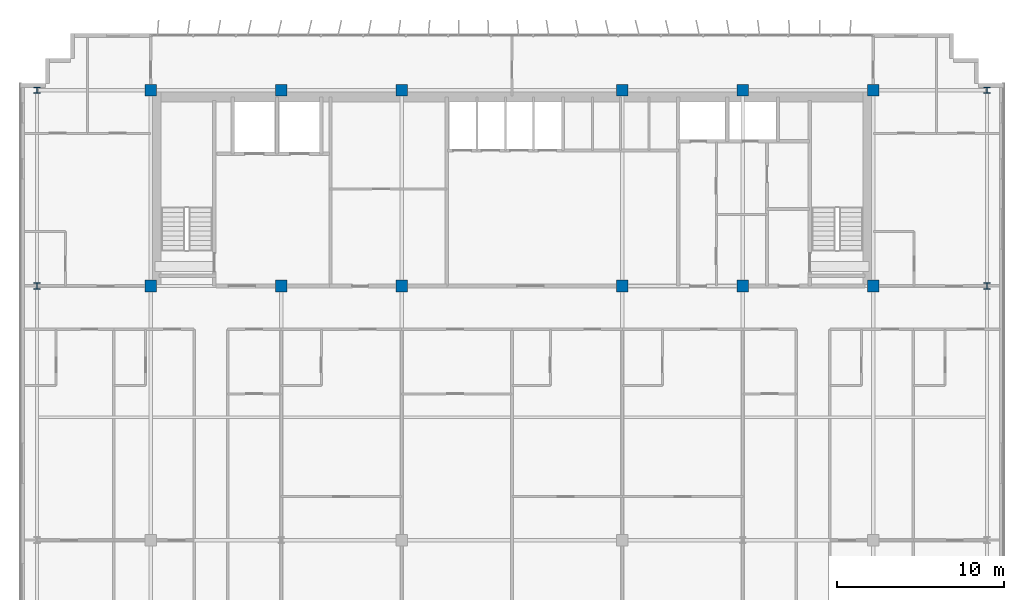
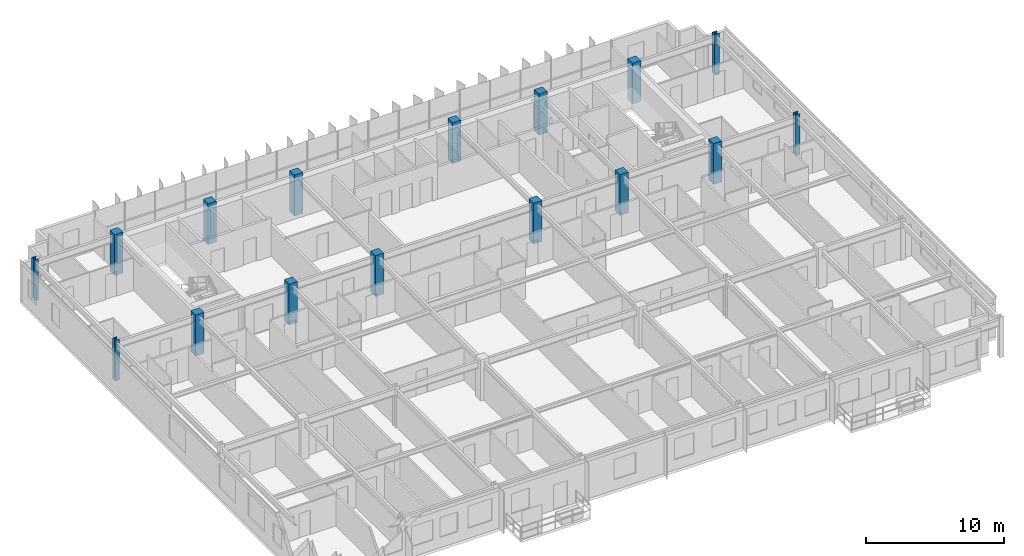
# One storey, part 2 of 21: 16 columns.
"""IFC4 building model written with IfcOpenShell, lengths in metres."""

from ifc_helpers import new_model, si_unit, direction, frame, origin, origin_2d, place, context, subcontext, project, spatial, rectangle, i_section, extrude, source, transform, mapped, material, material_profile, profile_set, type_object, element, save


model = new_model("IFC4")

# Units and contexts
model_context = context("Model", 3, precision=1e-05, world=origin(), true_north=direction((0.0, 1.0)))
body_context = subcontext(model_context, "Body", "Model", "MODEL_VIEW")
ifc_project = project(units=[si_unit("LENGTHUNIT", "METRE"), si_unit("AREAUNIT", "SQUARE_METRE"), si_unit("VOLUMEUNIT", "CUBIC_METRE"), si_unit("PLANEANGLEUNIT", "RADIAN"), si_unit("MASSUNIT", "GRAM", prefix="KILO")], contexts=[model_context])

# Site, building, storey
site_placement = place(None, origin())
site = spatial("IfcSite", under=ifc_project, at=site_placement, CompositionType="ELEMENT")
building_placement = place(site_placement, origin())
building = spatial("IfcBuilding", under=site, at=building_placement, Name="Trelvane Seafront Commons", CompositionType="ELEMENT")
storey_placement = place(building_placement, frame((0.0, 0.0, 135.699951171875)))
storey = spatial("IfcBuildingStorey", under=building, at=storey_placement, Name="L35", CompositionType="ELEMENT", Elevation=135.699951171875)

# Columns
ifc_material_1 = material(Name="Steel SM355 (S355)", Category="steel")
ifc_material_profile_1 = material_profile(ifc_material_1, i_section(OverallWidth=0.3798828125, OverallDepth=0.3798828125, WebThickness=0.02001953125, FlangeThickness=0.030029296875, at=origin_2d()), Name="HD-380x380x20x30")
ifc_profile_set_1 = profile_set([ifc_material_profile_1], Name="Steel SM355 (S355)")
column_type_1 = type_object("IfcColumnType", Name="STR-COL-HD380", PredefinedType="COLUMN", material=ifc_profile_set_1)
shared_shape_1 = source(origin(), body_context, "Body", "SweptSolid", [
    extrude(i_section(OverallWidth=0.3798828125, OverallDepth=0.3798828125, WebThickness=0.02001953125, FlangeThickness=0.030029296875, at=origin_2d()), origin(), (0.0, 0.0, 1.0), 3.60009765625),
])
for number, where, z_axis, x_axis, name in (
    (1, (8.800048828125, 33.39990234375, 0.0), (0.0, 0.0, 1.0), (1.0, 0.0, 0.0), "L35 Column TC-CS8.8"),
    (2, (8.800048828125, 45.10009765625, 0.0), (0.0, 0.0, 1.0), (1.0, 0.0, 0.0), "L35 Column TC-CN8.8"),
    (3, (65.60009765625, 33.39990234375, 0.0), (0.0, 0.0, 1.0), (1.0, 0.0, 0.0), "L35 Column TC-CS65.6"),
    (4, (65.60009765625, 45.10009765625, 0.0), (0.0, 0.0, 1.0), (1.0, 0.0, 0.0), "L35 Column TC-CN65.6"),
):
    element("IfcColumn", number, at=place(storey_placement, frame(where, z_axis=z_axis, x_axis=x_axis)), inside=storey, type_object=column_type_1, Name=name, PredefinedType="COLUMN", context=body_context, shape_type="MappedRepresentation", body=[
        mapped(shared_shape_1, transform((0.0, 0.0, 0.0), x_axis=(1.0, 0.0, 0.0), y_axis=(0.0, 1.0, 0.0), z_axis=(0.0, 0.0, 1.0), scale=1.0)),
    ])
ifc_material_2 = material(Name="Concrete C50/60", Category="concrete")
ifc_material_profile_2 = material_profile(ifc_material_2, rectangle(XDim=0.699951171875, YDim=0.699951171875, at=origin_2d()), Name="RC-700x700")
ifc_profile_set_2 = profile_set([ifc_material_profile_2], Name="Concrete C50/60")
column_type_2 = type_object("IfcColumnType", Name="STR-COL-RC700", PredefinedType="COLUMN", material=ifc_profile_set_2)
shared_shape_2 = source(origin(), body_context, "Body", "SweptSolid", [
    extrude(rectangle(XDim=0.699951171875, YDim=0.699951171875, at=origin_2d()), origin(), (0.0, 0.0, 1.0), 3.60009765625),
])
for number, where, z_axis, x_axis, name in (
    (5, (15.60009765625, 33.39990234375, 0.0), (0.0, 0.0, 1.0), (1.0, 0.0, 0.0), "L35 Column TC-CS15.6"),
    (6, (15.60009765625, 45.10009765625, 0.0), (0.0, 0.0, 1.0), (1.0, 0.0, 0.0), "L35 Column TC-CN15.6"),
    (7, (23.39990234375, 33.39990234375, 0.0), (0.0, 0.0, 1.0), (1.0, 0.0, 0.0), "L35 Column TC-CS23.4"),
    (8, (23.39990234375, 45.10009765625, 0.0), (0.0, 0.0, 1.0), (1.0, 0.0, 0.0), "L35 Column TC-CN23.4"),
    (9, (30.60009765625, 33.39990234375, 0.0), (0.0, 0.0, 1.0), (1.0, 0.0, 0.0), "L35 Column TC-CS30.6"),
    (10, (30.60009765625, 45.10009765625, 0.0), (0.0, 0.0, 1.0), (1.0, 0.0, 0.0), "L35 Column TC-CN30.6"),
    (11, (43.800048828125, 33.39990234375, 0.0), (0.0, 0.0, 1.0), (1.0, 0.0, 0.0), "L35 Column TC-CS43.8"),
    (12, (43.800048828125, 45.10009765625, 0.0), (0.0, 0.0, 1.0), (1.0, 0.0, 0.0), "L35 Column TC-CN43.8"),
    (13, (51.0, 33.39990234375, 0.0), (0.0, 0.0, 1.0), (1.0, 0.0, 0.0), "L35 Column TC-CS51.0"),
    (14, (51.0, 45.10009765625, 0.0), (0.0, 0.0, 1.0), (1.0, 0.0, 0.0), "L35 Column TC-CN51.0"),
    (15, (58.800048828125, 33.39990234375, 0.0), (0.0, 0.0, 1.0), (1.0, 0.0, 0.0), "L35 Column TC-CS58.8"),
    (16, (58.800048828125, 45.10009765625, 0.0), (0.0, 0.0, 1.0), (1.0, 0.0, 0.0), "L35 Column TC-CN58.8"),
):
    element("IfcColumn", number, at=place(storey_placement, frame(where, z_axis=z_axis, x_axis=x_axis)), inside=storey, type_object=column_type_2, Name=name, PredefinedType="COLUMN", context=body_context, shape_type="MappedRepresentation", body=[
        mapped(shared_shape_2, transform((0.0, 0.0, 0.0), x_axis=(1.0, 0.0, 0.0), y_axis=(0.0, 1.0, 0.0), z_axis=(0.0, 0.0, 1.0), scale=1.0)),
    ])

save(model, "model.ifc")
